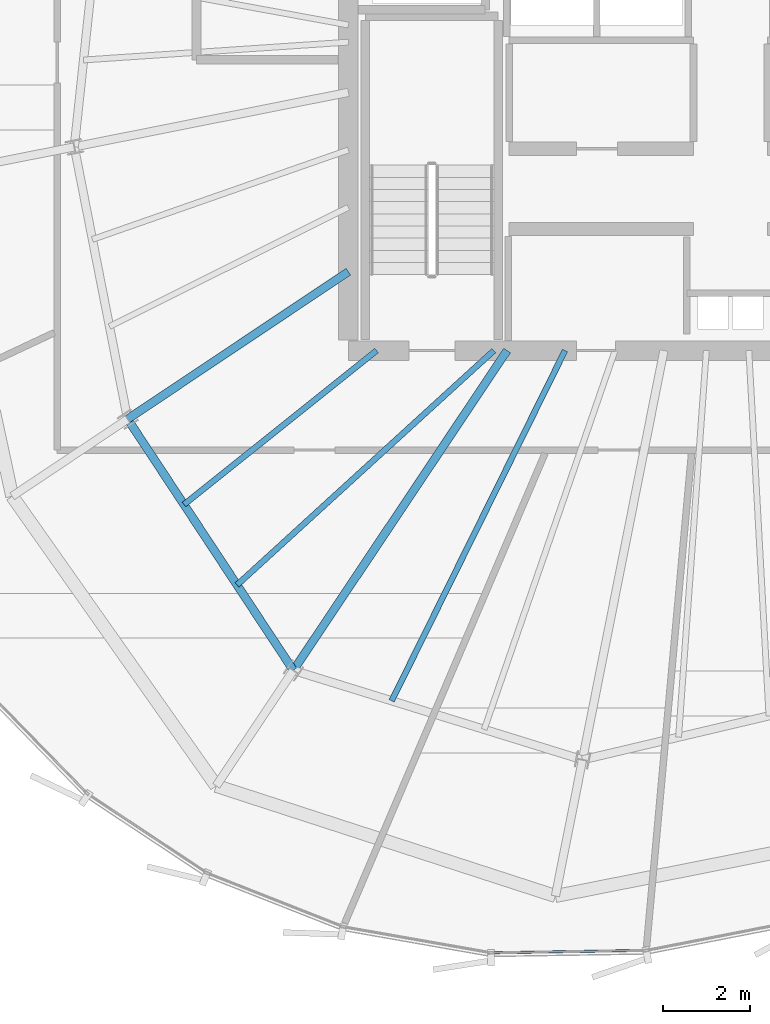
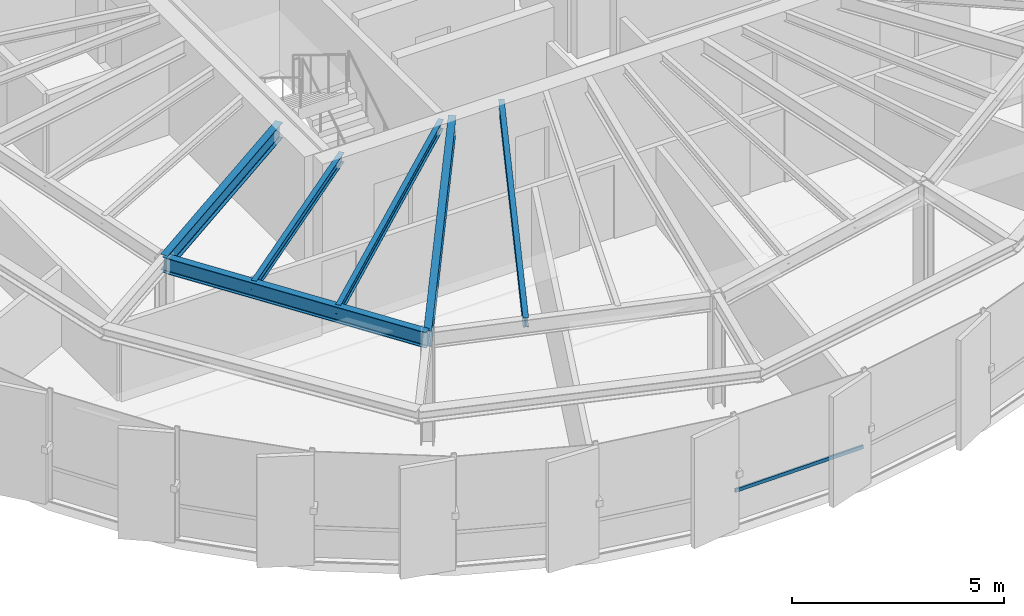
# One storey, part 5 of 33: 6 beams, 1 member, 1 element without a shape of its own.
"""IFC4 building model written with IfcOpenShell, lengths in metres."""

from ifc_helpers import new_model, si_unit, direction, frame, origin, origin_2d, place, context, subcontext, project, spatial, hollow_rectangle, i_section, extrude, source, transform, mapped, material, layer, layer_set, material_profile, profile_set, type_object, element, aggregate, save


model = new_model("IFC4")

# Units and contexts
model_context = context("Model", 3, precision=1e-05, world=origin(), true_north=direction((0.0, 1.0)))
body_context = subcontext(model_context, "Body", "Model", "MODEL_VIEW")
ifc_project = project(units=[si_unit("LENGTHUNIT", "METRE"), si_unit("AREAUNIT", "SQUARE_METRE"), si_unit("VOLUMEUNIT", "CUBIC_METRE"), si_unit("PLANEANGLEUNIT", "RADIAN"), si_unit("MASSUNIT", "GRAM", prefix="KILO"), si_unit("THERMODYNAMICTEMPERATUREUNIT", "KELVIN")], contexts=[model_context])

# Site, building, storey
site_placement = place(None, origin())
site = spatial("IfcSite", under=ifc_project, at=site_placement, CompositionType="ELEMENT")
building_placement = place(site_placement, origin())
building = spatial("IfcBuilding", under=site, at=building_placement, Name="Kethvar Cultural Tower", CompositionType="ELEMENT")
storey_placement = place(building_placement, frame((0.0, 0.0, 238.75)))
storey = spatial("IfcBuildingStorey", under=building, at=storey_placement, Name="L62", CompositionType="ELEMENT", Elevation=238.75)

# Beams
ifc_material_1 = material(Name="Steel S355J2", Category="steel")
ifc_material_profile_1 = material_profile(ifc_material_1, i_section(OverallWidth=0.18994140625, OverallDepth=0.449951171875, WebThickness=0.009521484375, FlangeThickness=0.0146484375, FilletRadius=0.02099609375, at=origin_2d()), Name="Steel S355J2 — IPE450")
ifc_profile_set_1 = profile_set([ifc_material_profile_1], Name="Steel S355J2 — IPE450")
beam_type_1 = type_object("IfcBeamType", Name="BM-IPE450", PredefinedType="BEAM", material=ifc_profile_set_1)
shared_shape_1 = source(origin(), body_context, "Body", "SweptSolid", [
    extrude(i_section(OverallWidth=0.18994140625, OverallDepth=0.449951171875, WebThickness=0.009521484375, FlangeThickness=0.0146484375, FilletRadius=0.02099609375, at=origin_2d()), origin(), (0.0, 0.0, 1.0), 6.118408203125),
])
beam_1_placement = place(storey_placement, frame((38.0, 21.920166015625, 2.98291015625), z_axis=(-0.831466631282, -0.555574694406, 0.0), x_axis=(0.555574694406, -0.831466631282, 0.0)))
element("IfcBeam", 1, at=beam_1_placement, inside=storey, type_object=beam_type_1, Name="L62 Primary Radial Beam RB-10", PredefinedType="BEAM", context=body_context, shape_type="MappedRepresentation", body=[
    mapped(shared_shape_1, transform((0.0, 0.0, 0.0), scale=1.0)),
])
shared_shape_2 = source(origin(), body_context, "Body", "SweptSolid", [
    extrude(i_section(OverallWidth=0.18994140625, OverallDepth=0.449951171875, WebThickness=0.009521484375, FlangeThickness=0.0146484375, FilletRadius=0.02099609375, at=origin_2d()), origin(), (0.0, 0.0, 1.0), 8.86279296875),
])
beam_2_placement = place(storey_placement, frame((41.655029296875, 20.10009765625, 2.98291015625), z_axis=(-0.555564443415, -0.831473480764, 0.0), x_axis=(0.831473480764, -0.555564443415, 0.0)))
element("IfcBeam", 2, at=beam_2_placement, inside=storey, type_object=beam_type_1, Name="L62 Primary Radial Beam RB-11", PredefinedType="BEAM", context=body_context, shape_type="MappedRepresentation", body=[
    mapped(shared_shape_2, transform((0.0, 0.0, 0.0), scale=1.0)),
])
shared_shape_3 = source(origin(), body_context, "Body", "SweptSolid", [
    extrude(i_section(OverallWidth=0.18994140625, OverallDepth=0.449951171875, WebThickness=0.009521484375, FlangeThickness=0.0146484375, FilletRadius=0.02099609375, at=origin_2d()), origin(), (0.0, 0.0, 1.0), 6.935791015625),
])
beam_3_placement = place(storey_placement, frame((32.912841796875, 18.52099609375, 2.98291015625), z_axis=(0.550534204139, -0.834812607759, 0.0), x_axis=(0.834812607759, 0.550534204139, 0.0)))
element("IfcBeam", 3, at=beam_3_placement, inside=storey, type_object=beam_type_1, Name="L62 Column Ring Tie Beam CR-10", PredefinedType="BEAM", context=body_context, shape_type="MappedRepresentation", body=[
    mapped(shared_shape_3, transform((0.0, 0.0, 0.0), scale=1.0)),
])
ifc_material_profile_2 = material_profile(ifc_material_1, i_section(OverallWidth=0.135009765625, OverallDepth=0.27001953125, WebThickness=0.006591796875, FlangeThickness=0.01025390625, FilletRadius=0.014892578125, at=origin_2d()), Name="Steel S355J2 — IPE270")
ifc_profile_set_2 = profile_set([ifc_material_profile_2], Name="Steel S355J2 — IPE270")
beam_type_2 = type_object("IfcBeamType", Name="BM-J270", PredefinedType="JOIST", material=ifc_profile_set_2)
shared_shape_4 = source(origin(), body_context, "Body", "SweptSolid", [
    extrude(i_section(OverallWidth=0.135009765625, OverallDepth=0.27001953125, WebThickness=0.006591796875, FlangeThickness=0.01025390625, FilletRadius=0.014892578125, at=origin_2d()), origin(), (0.0, 0.0, 1.0), 5.68212890625),
])
beam_4_placement = place(storey_placement, frame((38.64990234375, 20.10009765625, 3.072998046875), z_axis=(-0.781157957733, -0.624333440615, 0.0), x_axis=(0.624333440615, -0.781157957733, 0.0)))
element("IfcBeam", 4, at=beam_4_placement, inside=storey, type_object=beam_type_2, Name="L62 Composite Floor Joist J-10A", PredefinedType="JOIST", context=body_context, shape_type="MappedRepresentation", body=[
    mapped(shared_shape_4, transform((0.0, 0.0, 0.0), scale=1.0)),
])
shared_shape_5 = source(origin(), body_context, "Body", "SweptSolid", [
    extrude(i_section(OverallWidth=0.135009765625, OverallDepth=0.27001953125, WebThickness=0.006591796875, FlangeThickness=0.01025390625, FilletRadius=0.014892578125, at=origin_2d()), origin(), (0.0, 0.0, 1.0), 8.010986328125),
])
beam_5_placement = place(storey_placement, frame((41.35009765625, 20.10009765625, 3.072998046875), z_axis=(-0.738614798856, -0.674127717061, 0.0), x_axis=(0.674127717061, -0.738614798856, 0.0)))
element("IfcBeam", 5, at=beam_5_placement, inside=storey, type_object=beam_type_2, Name="L62 Composite Floor Joist J-10B", PredefinedType="JOIST", context=body_context, shape_type="MappedRepresentation", body=[
    mapped(shared_shape_5, transform((0.0, 0.0, 0.0), scale=1.0)),
])
shared_shape_6 = source(origin(), body_context, "Body", "SweptSolid", [
    extrude(i_section(OverallWidth=0.135009765625, OverallDepth=0.27001953125, WebThickness=0.006591796875, FlangeThickness=0.01025390625, FilletRadius=0.014892578125, at=origin_2d()), origin(), (0.0, 0.0, 1.0), 9.00341796875),
])
beam_6_placement = place(storey_placement, frame((42.989501953125, 20.10009765625, 3.072998046875), z_axis=(-0.443543695319, -0.896252749141, 0.0), x_axis=(0.896252749141, -0.443543695319, 0.0)))
element("IfcBeam", 6, at=beam_6_placement, inside=storey, type_object=beam_type_2, Name="L62 Composite Floor Joist J-11A", PredefinedType="JOIST", context=body_context, shape_type="MappedRepresentation", body=[
    mapped(shared_shape_6, transform((0.0, 0.0, 0.0), scale=1.0)),
])

# Curtain wall, member
ifc_material_2 = material(Name="Aluminium 6063-T6", Category="aluminium")
ifc_layer = layer(ifc_material_2, 0.179931640625, Name="Aluminium 6063-T6", Category="aluminium")
ifc_layer_set = layer_set([ifc_layer], Name="Aluminium 6063-T6 (180 mm)")
curtain_wall_type = type_object("IfcCurtainWallType", Name="CW-SYS-05-Z56", PredefinedType="NOTDEFINED", material=ifc_layer_set)
curtain_wall_placement = place(storey_placement, origin())
curtain_wall = element("IfcCurtainWall", 7, at=curtain_wall_placement, inside=storey, type_object=curtain_wall_type, Name="L62 Curtain Wall Run 04", PredefinedType="NOTDEFINED")
ifc_material_profile_3 = material_profile(ifc_material_2, hollow_rectangle(XDim=0.050048828125, YDim=0.10009765625, WallThickness=0.00390625, at=origin_2d()), Name="Aluminium 6063-T6 — RHS100x50x4")
ifc_profile_set_3 = profile_set([ifc_material_profile_3], Name="Aluminium 6063-T6 — RHS100x50x4")
member_type = type_object("IfcMemberType", Name="CW-SYS-05-Z56-TRN", PredefinedType="USERDEFINED", material=ifc_profile_set_3)
shared_shape_7 = source(origin(), body_context, "Body", "SweptSolid", [
    extrude(hollow_rectangle(XDim=0.050048828125, YDim=0.10009765625, WallThickness=0.00390625, at=origin_2d()), origin(), (0.0, 0.0, 1.0), 3.51416015625),
])
member_placement = place(storey_placement, frame((41.324462890625, 6.225341796875, 0.949951171875), z_axis=(0.999875634937, 0.015770689906, 0.0), x_axis=(-0.015770689906, 0.999875634937, 0.0)))
member = element("IfcMember", 8, at=member_placement, type_object=member_type, Name="CW-L62-R04 Transom 4", ObjectType="TRANSOM", PredefinedType="USERDEFINED", context=body_context, shape_type="MappedRepresentation", body=[
    mapped(shared_shape_7, transform((0.0, 0.0, 0.0), scale=1.0)),
])
aggregate(curtain_wall, [member])

save(model, "model.ifc")
